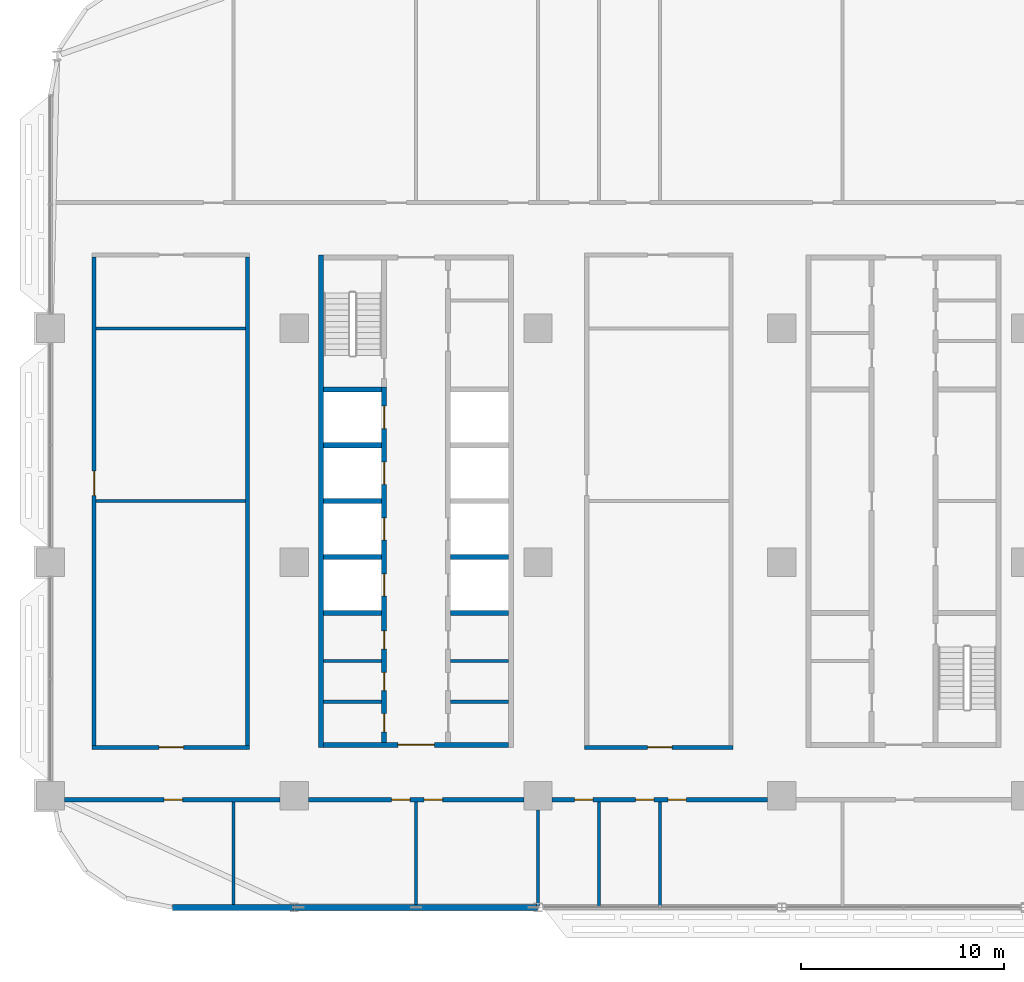
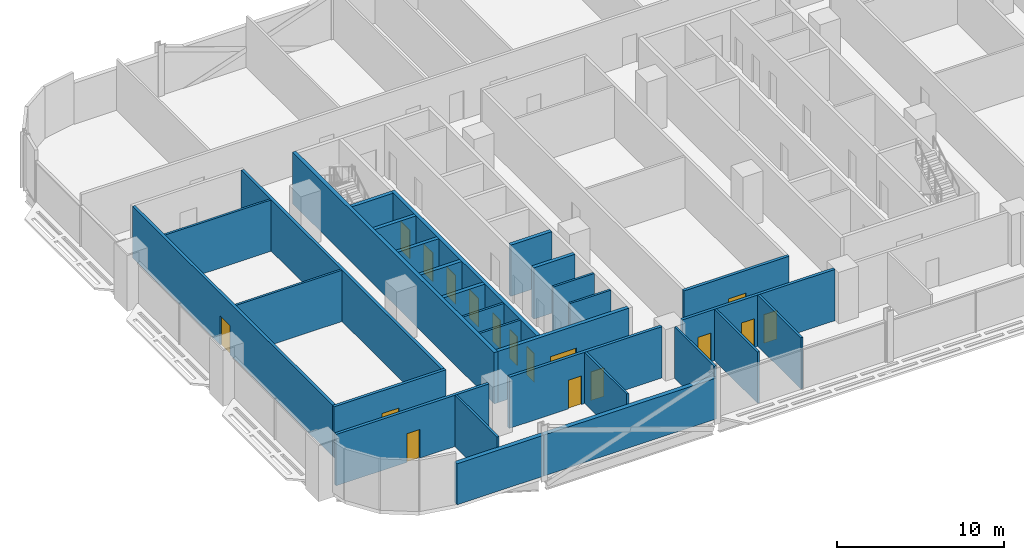
# One storey, part 12 of 29: 30 walls, 17 doors, 17 openings.
"""IFC4 building model written with IfcOpenShell, lengths in metres."""

from ifc_helpers import new_model, si_unit, direction, frame, frame_2d, origin, place, context, subcontext, project, spatial, rectangle, extrude, material, layer, layer_set, type_object, element, fill, save


model = new_model("IFC4")

# Units and contexts
model_context = context("Model", 3, precision=1e-05, world=origin(), true_north=direction((0.0, 1.0)))
body_context = subcontext(model_context, "Body", "Model", "MODEL_VIEW")
ifc_project = project(units=[si_unit("LENGTHUNIT", "METRE"), si_unit("AREAUNIT", "SQUARE_METRE"), si_unit("VOLUMEUNIT", "CUBIC_METRE"), si_unit("PLANEANGLEUNIT", "RADIAN"), si_unit("MASSUNIT", "GRAM", prefix="KILO")], contexts=[model_context])

# Site, building, storey
site_placement = place(None, origin())
site = spatial("IfcSite", under=ifc_project, at=site_placement, CompositionType="ELEMENT")
building_placement = place(site_placement, origin())
building = spatial("IfcBuilding", under=site, at=building_placement, Name="Mahtab Terrace Research Tower", CompositionType="ELEMENT")
storey_placement = place(building_placement, frame((0.0, 0.0, 109.39990234375)))
storey = spatial("IfcBuildingStorey", under=building, at=storey_placement, Name="L25", CompositionType="ELEMENT", Elevation=109.39990234375)

# Walls
ifc_material_1 = material(Name="Gypsum board partition")
ifc_layer_1 = layer(ifc_material_1, 0.14990234375)
ifc_layer_set_1 = layer_set([ifc_layer_1], Name="Core partition 150")
wall_type_1 = type_object("IfcWallType", Name="Core partition 150", PredefinedType="PARTITIONING", material=ifc_layer_set_1)
for number, where, z_axis, x_axis, name in (
    (1, (-28.550048828125, -6.875, 0.0), (0.0, 0.0, 1.0), (1.0, 0.0, 0.0), "Core wall A pWS-988"),
    (2, (-28.550048828125, -4.875, 0.0), (0.0, 0.0, 1.0), (1.0, 0.0, 0.0), "Core wall A pWS-788"),
    (3, (-22.300048828125, -6.875, 0.0), (0.0, 0.0, 1.0), (1.0, 0.0, 0.0), "Core wall A pES-988"),
    (4, (-22.300048828125, -4.875, 0.0), (0.0, 0.0, 1.0), (1.0, 0.0, 0.0), "Core wall A pES-788"),
):
    element("IfcWall", number, at=place(storey_placement, frame(where, z_axis=z_axis, x_axis=x_axis)), inside=storey, type_object=wall_type_1, Name=name, PredefinedType="PARTITIONING", context=body_context, shape_type="SweptSolid", body=[
        extrude(rectangle(XDim=2.85009765625, YDim=0.14990234375, at=frame_2d((1.425048828125, 0.0))), origin(), (0.0, 0.0, 1.0), 3.760009765625),
    ])
ifc_material_2 = material(Name="Concrete C70/85", Category="concrete")
ifc_layer_2 = layer(ifc_material_2, 0.25)
ifc_layer_set_2 = layer_set([ifc_layer_2], Name="Core wall 250")
wall_type_2 = type_object("IfcWallType", Name="Core wall 250", PredefinedType="SOLIDWALL", material=ifc_layer_set_2)
wall_1_placement = place(storey_placement, frame((-28.675048828125, 15.125, 0.0), z_axis=(0.0, 0.0, 1.0), x_axis=(0.0, -1.0, 0.0)))
element("IfcWall", 5, at=wall_1_placement, inside=storey, type_object=wall_type_2, Name="Core wall A outerW", PredefinedType="SOLIDWALL", context=body_context, shape_type="SweptSolid", body=[
    extrude(rectangle(XDim=24.25, YDim=0.25, at=frame_2d((12.125, 0.0))), origin(), (0.0, 0.0, 1.0), 3.760009765625),
])

# Wall, opening, door
wall_2_placement = place(storey_placement, frame((-19.449951171875, -9.0, 0.0), z_axis=(0.0, 0.0, 1.0), x_axis=(-1.0, 0.0, 0.0)))
wall_2 = element("IfcWall", 6, at=wall_2_placement, inside=storey, type_object=wall_type_2, Name="Core wall A endS", PredefinedType="SOLIDWALL", context=body_context, shape_type="SweptSolid", body=[
    extrude(rectangle(XDim=9.10009765625, YDim=0.25, at=frame_2d((4.550048828125, 0.0))), origin(), (0.0, 0.0, 1.0), 3.760009765625),
])
opening_1_placement = place(wall_2_placement, frame((3.64990234375, 0.0, 0.0)))
opening_1 = element("IfcOpeningElement", 7, at=opening_1_placement, cuts=wall_2, Name="Opening A-S1", PredefinedType="OPENING", context=body_context, shape_type="SweptSolid", body=[
    extrude(rectangle(XDim=1.800048828125, YDim=2.10009765625, at=frame_2d((0.89990234375, 1.050048828125))), frame((0.0, 0.135009765625, 0.0), z_axis=(0.0, -1.0, 0.0), x_axis=(1.0, 0.0, 0.0)), (0.0, 0.0, 1.0), 0.27001953125),
])
ifc_material_3 = material(Name="Steel fire door", Category="steel")
door_type_1 = type_object("IfcDoorType", Name="Lobby double door 1800x2100 1 HR", OperationType="DOUBLE_DOOR_SINGLE_SWING", PredefinedType="DOOR", material=ifc_material_3)
door_1_placement = place(opening_1_placement, origin())
door_1 = element("IfcDoor", 8, at=door_1_placement, inside=storey, type_object=door_type_1, Name="Core entrance door A S", OperationType="DOUBLE_DOOR_SINGLE_SWING", OverallHeight=2.10009765625, OverallWidth=1.800048828125, PredefinedType="DOOR", context=body_context, shape_type="SweptSolid", body=[
    extrude(rectangle(XDim=1.800048828125, YDim=2.10009765625, at=frame_2d((0.89990234375, 1.050048828125))), frame((0.0, 0.02490234375, 0.0), z_axis=(0.0, -1.0, 0.0), x_axis=(1.0, 0.0, 0.0)), (0.0, 0.0, 1.0), 0.050048828125),
])
fill(opening_1, door_1)

# Wall, openings, doors
wall_3_placement = place(storey_placement, frame((-25.574951171875, -8.875, 0.0), z_axis=(0.0, 0.0, 1.0), x_axis=(0.0, 1.0, 0.0)))
wall_3 = element("IfcWall", 9, at=wall_3_placement, inside=storey, type_object=wall_type_2, Name="Core wall A innerWSL", PredefinedType="SOLIDWALL", context=body_context, shape_type="SweptSolid", body=[
    extrude(rectangle(XDim=17.5, YDim=0.25, at=frame_2d((8.75, 0.0))), origin(), (0.0, 0.0, 1.0), 3.760009765625),
])
opening_2_placement = place(wall_3_placement, frame((7.199951171875, 0.0, 0.0)))
opening_2 = element("IfcOpeningElement", 10, at=opening_2_placement, cuts=wall_3, Name="Opening LD01-L25", PredefinedType="OPENING", context=body_context, shape_type="SweptSolid", body=[
    extrude(rectangle(XDim=1.10009765625, YDim=2.10009765625, at=frame_2d((0.550048828125, 1.050048828125))), frame((0.0, 0.135009765625, 0.0), z_axis=(0.0, -1.0, 0.0), x_axis=(1.0, 0.0, 0.0)), (0.0, 0.0, 1.0), 0.27001953125),
])
opening_3_placement = place(wall_3_placement, frame((9.949951171875, 0.0, 0.0)))
opening_3 = element("IfcOpeningElement", 11, at=opening_3_placement, cuts=wall_3, Name="Opening LD02-L25", PredefinedType="OPENING", context=body_context, shape_type="SweptSolid", body=[
    extrude(rectangle(XDim=1.10009765625, YDim=2.10009765625, at=frame_2d((0.550048828125, 1.050048828125))), frame((0.0, 0.135009765625, 0.0), z_axis=(0.0, -1.0, 0.0), x_axis=(1.0, 0.0, 0.0)), (0.0, 0.0, 1.0), 0.27001953125),
])
opening_4_placement = place(wall_3_placement, frame((12.699951171875, 0.0, 0.0)))
opening_4 = element("IfcOpeningElement", 12, at=opening_4_placement, cuts=wall_3, Name="Opening LD03-L25", PredefinedType="OPENING", context=body_context, shape_type="SweptSolid", body=[
    extrude(rectangle(XDim=1.10009765625, YDim=2.10009765625, at=frame_2d((0.550048828125, 1.050048828125))), frame((0.0, 0.135009765625, 0.0), z_axis=(0.0, -1.0, 0.0), x_axis=(1.0, 0.0, 0.0)), (0.0, 0.0, 1.0), 0.27001953125),
])
opening_5_placement = place(wall_3_placement, frame((15.449951171875, 0.0, 0.0)))
opening_5 = element("IfcOpeningElement", 13, at=opening_5_placement, cuts=wall_3, Name="Opening LD04-L25", PredefinedType="OPENING", context=body_context, shape_type="SweptSolid", body=[
    extrude(rectangle(XDim=1.10009765625, YDim=2.10009765625, at=frame_2d((0.550048828125, 1.050048828125))), frame((0.0, 0.135009765625, 0.0), z_axis=(0.0, -1.0, 0.0), x_axis=(1.0, 0.0, 0.0)), (0.0, 0.0, 1.0), 0.27001953125),
])
opening_6_placement = place(wall_3_placement, frame((0.512451171875, 0.0, 0.0)))
opening_6 = element("IfcOpeningElement", 14, at=opening_6_placement, cuts=wall_3, Name="Opening A-R1", PredefinedType="OPENING", context=body_context, shape_type="SweptSolid", body=[
    extrude(rectangle(XDim=0.89990234375, YDim=2.10009765625, at=frame_2d((0.449951171875, 1.050048828125))), frame((0.0, 0.135009765625, 0.0), z_axis=(0.0, -1.0, 0.0), x_axis=(1.0, 0.0, 0.0)), (0.0, 0.0, 1.0), 0.27001953125),
])
opening_7_placement = place(wall_3_placement, frame((2.550048828125, 0.0, 0.0)))
opening_7 = element("IfcOpeningElement", 15, at=opening_7_placement, cuts=wall_3, Name="Opening A-R2", PredefinedType="OPENING", context=body_context, shape_type="SweptSolid", body=[
    extrude(rectangle(XDim=0.89990234375, YDim=2.10009765625, at=frame_2d((0.449951171875, 1.050048828125))), frame((0.0, 0.135009765625, 0.0), z_axis=(0.0, -1.0, 0.0), x_axis=(1.0, 0.0, 0.0)), (0.0, 0.0, 1.0), 0.27001953125),
])
opening_8_placement = place(wall_3_placement, frame((4.58740234375, 0.0, 0.0)))
opening_8 = element("IfcOpeningElement", 16, at=opening_8_placement, cuts=wall_3, Name="Opening A-R3", PredefinedType="OPENING", context=body_context, shape_type="SweptSolid", body=[
    extrude(rectangle(XDim=0.89990234375, YDim=2.10009765625, at=frame_2d((0.449951171875, 1.050048828125))), frame((0.0, 0.135009765625, 0.0), z_axis=(0.0, -1.0, 0.0), x_axis=(1.0, 0.0, 0.0)), (0.0, 0.0, 1.0), 0.27001953125),
])
ifc_material_4 = material(Name="Stainless steel AISI 304", Category="steel")
door_type_2 = type_object("IfcDoorType", Name="Landing door 1100x2100", OperationType="DOUBLE_DOOR_SLIDING", PredefinedType="DOOR", material=ifc_material_4)
door_2_placement = place(opening_2_placement, origin())
door_2 = element("IfcDoor", 17, at=door_2_placement, inside=storey, type_object=door_type_2, Name="Landing door LR1 L25", OperationType="DOUBLE_DOOR_SLIDING", OverallHeight=2.10009765625, OverallWidth=1.10009765625, PredefinedType="DOOR", context=body_context, shape_type="SweptSolid", body=[
    extrude(rectangle(XDim=1.10009765625, YDim=2.10009765625, at=frame_2d((0.550048828125, 1.050048828125))), frame((0.0, 0.02490234375, 0.0), z_axis=(0.0, -1.0, 0.0), x_axis=(1.0, 0.0, 0.0)), (0.0, 0.0, 1.0), 0.050048828125),
])
fill(opening_2, door_2)
door_3_placement = place(opening_3_placement, origin())
door_3 = element("IfcDoor", 18, at=door_3_placement, inside=storey, type_object=door_type_2, Name="Landing door LR2 L25", OperationType="DOUBLE_DOOR_SLIDING", OverallHeight=2.10009765625, OverallWidth=1.10009765625, PredefinedType="DOOR", context=body_context, shape_type="SweptSolid", body=[
    extrude(rectangle(XDim=1.10009765625, YDim=2.10009765625, at=frame_2d((0.550048828125, 1.050048828125))), frame((0.0, 0.02490234375, 0.0), z_axis=(0.0, -1.0, 0.0), x_axis=(1.0, 0.0, 0.0)), (0.0, 0.0, 1.0), 0.050048828125),
])
fill(opening_3, door_3)
door_4_placement = place(opening_4_placement, origin())
door_4 = element("IfcDoor", 19, at=door_4_placement, inside=storey, type_object=door_type_2, Name="Landing door LR3 L25", OperationType="DOUBLE_DOOR_SLIDING", OverallHeight=2.10009765625, OverallWidth=1.10009765625, PredefinedType="DOOR", context=body_context, shape_type="SweptSolid", body=[
    extrude(rectangle(XDim=1.10009765625, YDim=2.10009765625, at=frame_2d((0.550048828125, 1.050048828125))), frame((0.0, 0.02490234375, 0.0), z_axis=(0.0, -1.0, 0.0), x_axis=(1.0, 0.0, 0.0)), (0.0, 0.0, 1.0), 0.050048828125),
])
fill(opening_4, door_4)
door_5_placement = place(opening_5_placement, origin())
door_5 = element("IfcDoor", 20, at=door_5_placement, inside=storey, type_object=door_type_2, Name="Landing door LR4 L25", OperationType="DOUBLE_DOOR_SLIDING", OverallHeight=2.10009765625, OverallWidth=1.10009765625, PredefinedType="DOOR", context=body_context, shape_type="SweptSolid", body=[
    extrude(rectangle(XDim=1.10009765625, YDim=2.10009765625, at=frame_2d((0.550048828125, 1.050048828125))), frame((0.0, 0.02490234375, 0.0), z_axis=(0.0, -1.0, 0.0), x_axis=(1.0, 0.0, 0.0)), (0.0, 0.0, 1.0), 0.050048828125),
])
fill(opening_5, door_5)
door_type_3 = type_object("IfcDoorType", Name="Room door 900x2100 1 HR", OperationType="NOTDEFINED", PredefinedType="DOOR", material=ifc_material_3)
door_6_placement = place(opening_6_placement, origin())
door_6 = element("IfcDoor", 21, at=door_6_placement, inside=storey, type_object=door_type_3, Name="Male WC door", OperationType="SINGLE_SWING_LEFT", OverallHeight=2.10009765625, OverallWidth=0.89990234375, PredefinedType="DOOR", context=body_context, shape_type="SweptSolid", body=[
    extrude(rectangle(XDim=0.89990234375, YDim=2.10009765625, at=frame_2d((0.449951171875, 1.050048828125))), frame((0.0, 0.02490234375, 0.0), z_axis=(0.0, -1.0, 0.0), x_axis=(1.0, 0.0, 0.0)), (0.0, 0.0, 1.0), 0.050048828125),
])
fill(opening_6, door_6)
door_7_placement = place(opening_7_placement, origin())
door_7 = element("IfcDoor", 22, at=door_7_placement, inside=storey, type_object=door_type_3, Name="Female WC door", OperationType="SINGLE_SWING_RIGHT", OverallHeight=2.10009765625, OverallWidth=0.89990234375, PredefinedType="DOOR", context=body_context, shape_type="SweptSolid", body=[
    extrude(rectangle(XDim=0.89990234375, YDim=2.10009765625, at=frame_2d((0.449951171875, 1.050048828125))), frame((0.0, 0.02490234375, 0.0), z_axis=(0.0, -1.0, 0.0), x_axis=(1.0, 0.0, 0.0)), (0.0, 0.0, 1.0), 0.050048828125),
])
fill(opening_7, door_7)
door_8_placement = place(opening_8_placement, origin())
door_8 = element("IfcDoor", 23, at=door_8_placement, inside=storey, type_object=door_type_3, Name="Accessible WC door", OperationType="SINGLE_SWING_LEFT", OverallHeight=2.10009765625, OverallWidth=0.89990234375, PredefinedType="DOOR", context=body_context, shape_type="SweptSolid", body=[
    extrude(rectangle(XDim=0.89990234375, YDim=2.10009765625, at=frame_2d((0.449951171875, 1.050048828125))), frame((0.0, 0.02490234375, 0.0), z_axis=(0.0, -1.0, 0.0), x_axis=(1.0, 0.0, 0.0)), (0.0, 0.0, 1.0), 0.050048828125),
])
fill(opening_8, door_8)

# Walls
for number, where, z_axis, x_axis, name in (
    (24, (-28.550048828125, -2.5, 0.0), (0.0, 0.0, 1.0), (1.0, 0.0, 0.0), "Core wall A divW0"),
    (25, (-28.550048828125, 0.25, 0.0), (0.0, 0.0, 1.0), (1.0, 0.0, 0.0), "Core wall A divW1"),
    (26, (-28.550048828125, 3.0, 0.0), (0.0, 0.0, 1.0), (1.0, 0.0, 0.0), "Core wall A divW2"),
    (27, (-28.550048828125, 5.75, 0.0), (0.0, 0.0, 1.0), (1.0, 0.0, 0.0), "Core wall A divW3"),
    (28, (-28.550048828125, 8.5, 0.0), (0.0, 0.0, 1.0), (1.0, 0.0, 0.0), "Core wall A divW4"),
    (29, (-22.300048828125, -2.5, 0.0), (0.0, 0.0, 1.0), (1.0, 0.0, 0.0), "Core wall A divE0"),
    (30, (-22.300048828125, 0.25, 0.0), (0.0, 0.0, 1.0), (1.0, 0.0, 0.0), "Core wall A divE1"),
):
    element("IfcWall", number, at=place(storey_placement, frame(where, z_axis=z_axis, x_axis=x_axis)), inside=storey, type_object=wall_type_2, Name=name, PredefinedType="SOLIDWALL", context=body_context, shape_type="SweptSolid", body=[
        extrude(rectangle(XDim=2.85009765625, YDim=0.25, at=frame_2d((1.425048828125, 0.0))), origin(), (0.0, 0.0, 1.0), 3.760009765625),
    ])
ifc_material_5 = material(Name="Black aluminium cladding panel", Category="aluminium")
ifc_layer_3 = layer(ifc_material_5, 0.300048828125)
ifc_layer_set_3 = layer_set([ifc_layer_3], Name="Opaque facade wall 300")
wall_type_3 = type_object("IfcWallType", Name="Opaque facade wall 300", PredefinedType="NOTDEFINED", material=ifc_layer_set_3)
wall_4_placement = place(storey_placement, frame((-36.0, -17.0, 0.0), z_axis=(0.0, 0.0, 1.0), x_axis=(1.0, 0.0, 0.0)))
element("IfcWall", 31, at=wall_4_placement, inside=storey, type_object=wall_type_3, Name="Opaque facade wall L25 S23", PredefinedType="NOTDEFINED", context=body_context, shape_type="SweptSolid", body=[
    extrude(rectangle(XDim=5.97900390625, YDim=0.300048828125, at=frame_2d((2.989501953125, 0.0))), origin(), (0.0, 0.0, 1.0), 3.003173828125),
])
wall_5_placement = place(storey_placement, frame((-29.97900390625, -17.0, 0.0), z_axis=(0.0, 0.0, 1.0), x_axis=(1.0, 0.0, 0.0)))
element("IfcWall", 32, at=wall_5_placement, inside=storey, type_object=wall_type_3, Name="Opaque facade wall L25 S24", PredefinedType="NOTDEFINED", context=body_context, shape_type="SweptSolid", body=[
    extrude(rectangle(XDim=11.9580078125, YDim=0.300048828125, at=frame_2d((5.97900390625, 0.0))), origin(), (0.0, 0.0, 1.0), 3.003173828125),
])

# Wall, opening, door
ifc_material_6 = material(Name="Gypsum board corridor wall on steel studs", Category="steel")
ifc_layer_4 = layer(ifc_material_6, 0.199951171875)
ifc_layer_set_4 = layer_set([ifc_layer_4], Name="WALL CORRIDOR 200")
wall_type_4 = type_object("IfcWallType", Name="WALL CORRIDOR 200", PredefinedType="PARTITIONING", material=ifc_layer_set_4)
wall_6_placement = place(storey_placement, frame((-41.300048828125, -11.699951171875, 0.0), z_axis=(0.0, 0.0, 1.0), x_axis=(1.0, 0.0, 0.0)))
wall_6 = element("IfcWall", 33, at=wall_6_placement, inside=storey, type_object=wall_type_4, Name="L25-W001", PredefinedType="PARTITIONING", context=body_context, shape_type="SweptSolid", body=[
    extrude(rectangle(XDim=10.60009765625, YDim=0.199951171875, at=frame_2d((5.300048828125, 0.0))), origin(), (0.0, 0.0, 1.0), 3.760009765625),
])
opening_9_placement = place(wall_6_placement, frame((4.89990234375, 0.0, 0.0)))
opening_9 = element("IfcOpeningElement", 34, at=opening_9_placement, cuts=wall_6, Name="Opening L25-101", PredefinedType="OPENING", context=body_context, shape_type="SweptSolid", body=[
    extrude(rectangle(XDim=0.89990234375, YDim=2.10009765625, at=frame_2d((0.449951171875, 1.050048828125))), frame((0.0, 0.10986328125, 0.0), z_axis=(0.0, -1.0, 0.0), x_axis=(1.0, 0.0, 0.0)), (0.0, 0.0, 1.0), 0.219970703125),
])
ifc_material_7 = material(Name="Timber door leaf in steel frame", Category="steel")
door_type_4 = type_object("IfcDoorType", Name="DOOR 0900X2100 FD30S", OperationType="SINGLE_SWING_LEFT", PredefinedType="DOOR", material=ifc_material_7)
door_9_placement = place(opening_9_placement, origin())
door_9 = element("IfcDoor", 35, at=door_9_placement, inside=storey, type_object=door_type_4, Name="Door L25-101", OperationType="SINGLE_SWING_LEFT", OverallHeight=2.10009765625, OverallWidth=0.89990234375, PredefinedType="DOOR", context=body_context, shape_type="SweptSolid", body=[
    extrude(rectangle(XDim=0.89990234375, YDim=2.10009765625, at=frame_2d((0.449951171875, 1.050048828125))), frame((0.0, 0.02490234375, 0.0), z_axis=(0.0, -1.0, 0.0), x_axis=(1.0, 0.0, 0.0)), (0.0, 0.0, 1.0), 0.050048828125),
])
fill(opening_9, door_9)

# Wall, openings, doors
wall_7_placement = place(storey_placement, frame((-29.300048828125, -11.699951171875, 0.0), z_axis=(0.0, 0.0, 1.0), x_axis=(1.0, 0.0, 0.0)))
wall_7 = element("IfcWall", 36, at=wall_7_placement, inside=storey, type_object=wall_type_4, Name="L25-W002", PredefinedType="PARTITIONING", context=body_context, shape_type="SweptSolid", body=[
    extrude(rectangle(XDim=10.60009765625, YDim=0.199951171875, at=frame_2d((5.300048828125, 0.0))), origin(), (0.0, 0.0, 1.0), 3.760009765625),
])
opening_10_placement = place(wall_7_placement, frame((4.10009765625, 0.0, 0.0)))
opening_10 = element("IfcOpeningElement", 37, at=opening_10_placement, cuts=wall_7, Name="Opening L25-102", PredefinedType="OPENING", context=body_context, shape_type="SweptSolid", body=[
    extrude(rectangle(XDim=0.89990234375, YDim=2.10009765625, at=frame_2d((0.449951171875, 1.050048828125))), frame((0.0, 0.10986328125, 0.0), z_axis=(0.0, -1.0, 0.0), x_axis=(1.0, 0.0, 0.0)), (0.0, 0.0, 1.0), 0.219970703125),
])
opening_11_placement = place(wall_7_placement, frame((5.699951171875, 0.0, 0.0)))
opening_11 = element("IfcOpeningElement", 38, at=opening_11_placement, cuts=wall_7, Name="Opening L25-103", PredefinedType="OPENING", context=body_context, shape_type="SweptSolid", body=[
    extrude(rectangle(XDim=0.89990234375, YDim=2.10009765625, at=frame_2d((0.449951171875, 1.050048828125))), frame((0.0, 0.10986328125, 0.0), z_axis=(0.0, -1.0, 0.0), x_axis=(1.0, 0.0, 0.0)), (0.0, 0.0, 1.0), 0.219970703125),
])
door_10_placement = place(opening_10_placement, origin())
door_10 = element("IfcDoor", 39, at=door_10_placement, inside=storey, type_object=door_type_4, Name="Door L25-102", OperationType="SINGLE_SWING_RIGHT", OverallHeight=2.10009765625, OverallWidth=0.89990234375, PredefinedType="DOOR", context=body_context, shape_type="SweptSolid", body=[
    extrude(rectangle(XDim=0.89990234375, YDim=2.10009765625, at=frame_2d((0.449951171875, 1.050048828125))), frame((0.0, 0.02490234375, 0.0), z_axis=(0.0, -1.0, 0.0), x_axis=(1.0, 0.0, 0.0)), (0.0, 0.0, 1.0), 0.050048828125),
])
fill(opening_10, door_10)
door_11_placement = place(opening_11_placement, origin())
door_11 = element("IfcDoor", 40, at=door_11_placement, inside=storey, type_object=door_type_4, Name="Door L25-103", OperationType="SINGLE_SWING_LEFT", OverallHeight=2.10009765625, OverallWidth=0.89990234375, PredefinedType="DOOR", context=body_context, shape_type="SweptSolid", body=[
    extrude(rectangle(XDim=0.89990234375, YDim=2.10009765625, at=frame_2d((0.449951171875, 1.050048828125))), frame((0.0, 0.02490234375, 0.0), z_axis=(0.0, -1.0, 0.0), x_axis=(1.0, 0.0, 0.0)), (0.0, 0.0, 1.0), 0.050048828125),
])
fill(opening_11, door_11)

wall_8_placement = place(storey_placement, frame((-17.300048828125, -11.699951171875, 0.0), z_axis=(0.0, 0.0, 1.0), x_axis=(1.0, 0.0, 0.0)))
wall_8 = element("IfcWall", 41, at=wall_8_placement, inside=storey, type_object=wall_type_4, Name="L25-W003", PredefinedType="PARTITIONING", context=body_context, shape_type="SweptSolid", body=[
    extrude(rectangle(XDim=10.60009765625, YDim=0.199951171875, at=frame_2d((5.300048828125, 0.0))), origin(), (0.0, 0.0, 1.0), 3.760009765625),
])
opening_12_placement = place(wall_8_placement, frame((1.10009765625, 0.0, 0.0)))
opening_12 = element("IfcOpeningElement", 42, at=opening_12_placement, cuts=wall_8, Name="Opening L25-104", PredefinedType="OPENING", context=body_context, shape_type="SweptSolid", body=[
    extrude(rectangle(XDim=0.89990234375, YDim=2.10009765625, at=frame_2d((0.449951171875, 1.050048828125))), frame((0.0, 0.10986328125, 0.0), z_axis=(0.0, -1.0, 0.0), x_axis=(1.0, 0.0, 0.0)), (0.0, 0.0, 1.0), 0.219970703125),
])
opening_13_placement = place(wall_8_placement, frame((4.10009765625, 0.0, 0.0)))
opening_13 = element("IfcOpeningElement", 43, at=opening_13_placement, cuts=wall_8, Name="Opening L25-105", PredefinedType="OPENING", context=body_context, shape_type="SweptSolid", body=[
    extrude(rectangle(XDim=0.89990234375, YDim=2.10009765625, at=frame_2d((0.449951171875, 1.050048828125))), frame((0.0, 0.10986328125, 0.0), z_axis=(0.0, -1.0, 0.0), x_axis=(1.0, 0.0, 0.0)), (0.0, 0.0, 1.0), 0.219970703125),
])
opening_14_placement = place(wall_8_placement, frame((5.699951171875, 0.0, 0.0)))
opening_14 = element("IfcOpeningElement", 44, at=opening_14_placement, cuts=wall_8, Name="Opening L25-106", PredefinedType="OPENING", context=body_context, shape_type="SweptSolid", body=[
    extrude(rectangle(XDim=0.89990234375, YDim=2.10009765625, at=frame_2d((0.449951171875, 1.050048828125))), frame((0.0, 0.10986328125, 0.0), z_axis=(0.0, -1.0, 0.0), x_axis=(1.0, 0.0, 0.0)), (0.0, 0.0, 1.0), 0.219970703125),
])
door_12_placement = place(opening_12_placement, origin())
door_12 = element("IfcDoor", 45, at=door_12_placement, inside=storey, type_object=door_type_4, Name="Door L25-104", OperationType="SINGLE_SWING_RIGHT", OverallHeight=2.10009765625, OverallWidth=0.89990234375, PredefinedType="DOOR", context=body_context, shape_type="SweptSolid", body=[
    extrude(rectangle(XDim=0.89990234375, YDim=2.10009765625, at=frame_2d((0.449951171875, 1.050048828125))), frame((0.0, 0.02490234375, 0.0), z_axis=(0.0, -1.0, 0.0), x_axis=(1.0, 0.0, 0.0)), (0.0, 0.0, 1.0), 0.050048828125),
])
fill(opening_12, door_12)
door_13_placement = place(opening_13_placement, origin())
door_13 = element("IfcDoor", 46, at=door_13_placement, inside=storey, type_object=door_type_4, Name="Door L25-105", OperationType="SINGLE_SWING_RIGHT", OverallHeight=2.10009765625, OverallWidth=0.89990234375, PredefinedType="DOOR", context=body_context, shape_type="SweptSolid", body=[
    extrude(rectangle(XDim=0.89990234375, YDim=2.10009765625, at=frame_2d((0.449951171875, 1.050048828125))), frame((0.0, 0.02490234375, 0.0), z_axis=(0.0, -1.0, 0.0), x_axis=(1.0, 0.0, 0.0)), (0.0, 0.0, 1.0), 0.050048828125),
])
fill(opening_13, door_13)
door_14_placement = place(opening_14_placement, origin())
door_14 = element("IfcDoor", 47, at=door_14_placement, inside=storey, type_object=door_type_4, Name="Door L25-106", OperationType="SINGLE_SWING_LEFT", OverallHeight=2.10009765625, OverallWidth=0.89990234375, PredefinedType="DOOR", context=body_context, shape_type="SweptSolid", body=[
    extrude(rectangle(XDim=0.89990234375, YDim=2.10009765625, at=frame_2d((0.449951171875, 1.050048828125))), frame((0.0, 0.02490234375, 0.0), z_axis=(0.0, -1.0, 0.0), x_axis=(1.0, 0.0, 0.0)), (0.0, 0.0, 1.0), 0.050048828125),
])
fill(opening_14, door_14)

# Wall, opening, door
wall_9_placement = place(storey_placement, frame((-39.949951171875, -9.125, 0.0), z_axis=(0.0, 0.0, 1.0), x_axis=(1.0, 0.0, 0.0)))
wall_9 = element("IfcWall", 48, at=wall_9_placement, inside=storey, type_object=wall_type_4, Name="L25-W009", PredefinedType="PARTITIONING", context=body_context, shape_type="SweptSolid", body=[
    extrude(rectangle(XDim=7.75, YDim=0.199951171875, at=frame_2d((3.875, 0.0))), origin(), (0.0, 0.0, 1.0), 3.760009765625),
])
opening_15_placement = place(wall_9_placement, frame((3.300048828125, 0.0, 0.0)))
opening_15 = element("IfcOpeningElement", 49, at=opening_15_placement, cuts=wall_9, Name="Opening L25-117", PredefinedType="OPENING", context=body_context, shape_type="SweptSolid", body=[
    extrude(rectangle(XDim=1.199951171875, YDim=2.10009765625, at=frame_2d((0.60009765625, 1.050048828125))), frame((0.0, 0.10986328125, 0.0), z_axis=(0.0, -1.0, 0.0), x_axis=(1.0, 0.0, 0.0)), (0.0, 0.0, 1.0), 0.219970703125),
])
door_type_5 = type_object("IfcDoorType", Name="DOOR 1200X2100 FD30S", OperationType="SINGLE_SWING_LEFT", PredefinedType="DOOR", material=ifc_material_7)
door_15_placement = place(opening_15_placement, origin())
door_15 = element("IfcDoor", 50, at=door_15_placement, inside=storey, type_object=door_type_5, Name="Door L25-117", OperationType="SINGLE_SWING_RIGHT", OverallHeight=2.10009765625, OverallWidth=1.199951171875, PredefinedType="DOOR", context=body_context, shape_type="SweptSolid", body=[
    extrude(rectangle(XDim=1.199951171875, YDim=2.10009765625, at=frame_2d((0.60009765625, 1.050048828125))), frame((0.0, 0.02490234375, 0.0), z_axis=(0.0, -1.0, 0.0), x_axis=(1.0, 0.0, 0.0)), (0.0, 0.0, 1.0), 0.050048828125),
])
fill(opening_15, door_15)

wall_10_placement = place(storey_placement, frame((-15.699951171875, -9.125, 0.0), z_axis=(0.0, 0.0, 1.0), x_axis=(1.0, 0.0, 0.0)))
wall_10 = element("IfcWall", 51, at=wall_10_placement, inside=storey, type_object=wall_type_4, Name="L25-W010", PredefinedType="PARTITIONING", context=body_context, shape_type="SweptSolid", body=[
    extrude(rectangle(XDim=7.300048828125, YDim=0.199951171875, at=frame_2d((3.64990234375, 0.0))), origin(), (0.0, 0.0, 1.0), 3.760009765625),
])
opening_16_placement = place(wall_10_placement, frame((3.10009765625, 0.0, 0.0)))
opening_16 = element("IfcOpeningElement", 52, at=opening_16_placement, cuts=wall_10, Name="Opening L25-118", PredefinedType="OPENING", context=body_context, shape_type="SweptSolid", body=[
    extrude(rectangle(XDim=1.199951171875, YDim=2.10009765625, at=frame_2d((0.60009765625, 1.050048828125))), frame((0.0, 0.10986328125, 0.0), z_axis=(0.0, -1.0, 0.0), x_axis=(1.0, 0.0, 0.0)), (0.0, 0.0, 1.0), 0.219970703125),
])
door_16_placement = place(opening_16_placement, origin())
door_16 = element("IfcDoor", 53, at=door_16_placement, inside=storey, type_object=door_type_5, Name="Door L25-118", OperationType="SINGLE_SWING_RIGHT", OverallHeight=2.10009765625, OverallWidth=1.199951171875, PredefinedType="DOOR", context=body_context, shape_type="SweptSolid", body=[
    extrude(rectangle(XDim=1.199951171875, YDim=2.10009765625, at=frame_2d((0.60009765625, 1.050048828125))), frame((0.0, 0.02490234375, 0.0), z_axis=(0.0, -1.0, 0.0), x_axis=(1.0, 0.0, 0.0)), (0.0, 0.0, 1.0), 0.050048828125),
])
fill(opening_16, door_16)

wall_11_placement = place(storey_placement, frame((-39.85009765625, -9.02490234375, 0.0), z_axis=(0.0, 0.0, 1.0), x_axis=(0.0, 1.0, 0.0)))
wall_11 = element("IfcWall", 54, at=wall_11_placement, inside=storey, type_object=wall_type_4, Name="L25-W027", PredefinedType="PARTITIONING", context=body_context, shape_type="SweptSolid", body=[
    extrude(rectangle(XDim=24.0498046875, YDim=0.199951171875, at=frame_2d((12.02490234375, 0.0))), origin(), (0.0, 0.0, 1.0), 3.760009765625),
])
opening_17_placement = place(wall_11_placement, frame((12.300048828125, 0.0, 0.0)))
opening_17 = element("IfcOpeningElement", 55, at=opening_17_placement, cuts=wall_11, Name="Opening L25-122", PredefinedType="OPENING", context=body_context, shape_type="SweptSolid", body=[
    extrude(rectangle(XDim=1.199951171875, YDim=2.10009765625, at=frame_2d((0.60009765625, 1.050048828125))), frame((0.0, 0.10986328125, 0.0), z_axis=(0.0, -1.0, 0.0), x_axis=(1.0, 0.0, 0.0)), (0.0, 0.0, 1.0), 0.219970703125),
])
door_17_placement = place(opening_17_placement, origin())
door_17 = element("IfcDoor", 56, at=door_17_placement, inside=storey, type_object=door_type_5, Name="Door L25-122", OperationType="SINGLE_SWING_LEFT", OverallHeight=2.10009765625, OverallWidth=1.199951171875, PredefinedType="DOOR", context=body_context, shape_type="SweptSolid", body=[
    extrude(rectangle(XDim=1.199951171875, YDim=2.10009765625, at=frame_2d((0.60009765625, 1.050048828125))), frame((0.0, 0.02490234375, 0.0), z_axis=(0.0, -1.0, 0.0), x_axis=(1.0, 0.0, 0.0)), (0.0, 0.0, 1.0), 0.050048828125),
])
fill(opening_17, door_17)

# Walls
wall_12_placement = place(storey_placement, frame((-32.300048828125, -9.02490234375, 0.0), z_axis=(0.0, 0.0, 1.0), x_axis=(0.0, 1.0, 0.0)))
element("IfcWall", 57, at=wall_12_placement, inside=storey, type_object=wall_type_4, Name="L25-W030", PredefinedType="PARTITIONING", context=body_context, shape_type="SweptSolid", body=[
    extrude(rectangle(XDim=24.0498046875, YDim=0.199951171875, at=frame_2d((12.02490234375, 0.0))), origin(), (0.0, 0.0, 1.0), 3.760009765625),
])
ifc_material_8 = material(Name="Gypsum board partition on steel studs", Category="steel")
ifc_layer_5 = layer(ifc_material_8, 0.14990234375)
ifc_layer_set_5 = layer_set([ifc_layer_5], Name="WALL PARTITION 150")
wall_type_5 = type_object("IfcWallType", Name="WALL PARTITION 150", PredefinedType="PARTITIONING", material=ifc_layer_set_5)
for number, where, z_axis, x_axis, name in (
    (58, (-39.75, 3.0, 0.0), (0.0, 0.0, 1.0), (1.0, 0.0, 0.0), "L25-W013"),
    (59, (-39.75, 11.5, 0.0), (0.0, 0.0, 1.0), (1.0, 0.0, 0.0), "L25-W017"),
):
    element("IfcWall", number, at=place(storey_placement, frame(where, z_axis=z_axis, x_axis=x_axis)), inside=storey, type_object=wall_type_5, Name=name, PredefinedType="PARTITIONING", context=body_context, shape_type="SweptSolid", body=[
        extrude(rectangle(XDim=7.35009765625, YDim=0.14990234375, at=frame_2d((3.675048828125, 0.0))), origin(), (0.0, 0.0, 1.0), 3.760009765625),
    ])
for number, where, z_axis, x_axis, name in (
    (60, (-33.0, -16.85009765625, 0.0), (0.0, 0.0, 1.0), (0.0, 1.0, 0.0), "L25-W028"),
    (61, (-24.0, -16.85009765625, 0.0), (0.0, 0.0, 1.0), (0.0, 1.0, 0.0), "L25-W031"),
):
    element("IfcWall", number, at=place(storey_placement, frame(where, z_axis=z_axis, x_axis=x_axis)), inside=storey, type_object=wall_type_5, Name=name, PredefinedType="PARTITIONING", context=body_context, shape_type="SweptSolid", body=[
        extrude(rectangle(XDim=5.050048828125, YDim=0.14990234375, at=frame_2d((2.52490234375, 0.0))), origin(), (0.0, 0.0, 1.0), 3.760009765625),
    ])
wall_13_placement = place(storey_placement, frame((-18.0, -16.97509765625, 0.0), z_axis=(0.0, 0.0, 1.0), x_axis=(0.0, 1.0, 0.0)))
element("IfcWall", 62, at=wall_13_placement, inside=storey, type_object=wall_type_5, Name="L25-W033", PredefinedType="PARTITIONING", context=body_context, shape_type="SweptSolid", body=[
    extrude(rectangle(XDim=4.775146484375, YDim=0.14990234375, at=frame_2d((2.3876953125, 0.0))), origin(), (0.0, 0.0, 1.0), 3.760009765625),
])
for number, where, z_axis, x_axis, name in (
    (63, (-15.0, -16.97509765625, 0.0), (0.0, 0.0, 1.0), (0.0, 1.0, 0.0), "L25-W036"),
    (64, (-12.0, -16.97509765625, 0.0), (0.0, 0.0, 1.0), (0.0, 1.0, 0.0), "L25-W038"),
):
    element("IfcWall", number, at=place(storey_placement, frame(where, z_axis=z_axis, x_axis=x_axis)), inside=storey, type_object=wall_type_5, Name=name, PredefinedType="PARTITIONING", context=body_context, shape_type="SweptSolid", body=[
        extrude(rectangle(XDim=5.175048828125, YDim=0.14990234375, at=frame_2d((2.58740234375, 0.0))), origin(), (0.0, 0.0, 1.0), 3.760009765625),
    ])

save(model, "model.ifc")
